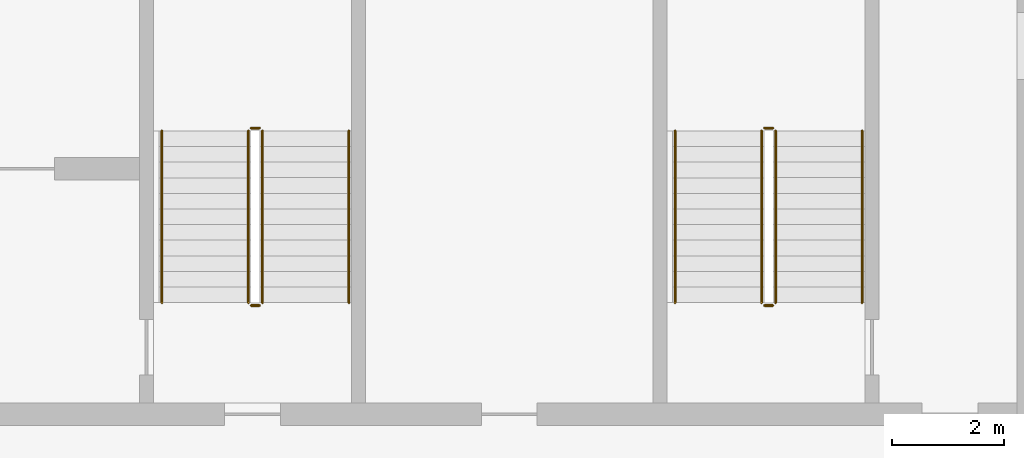
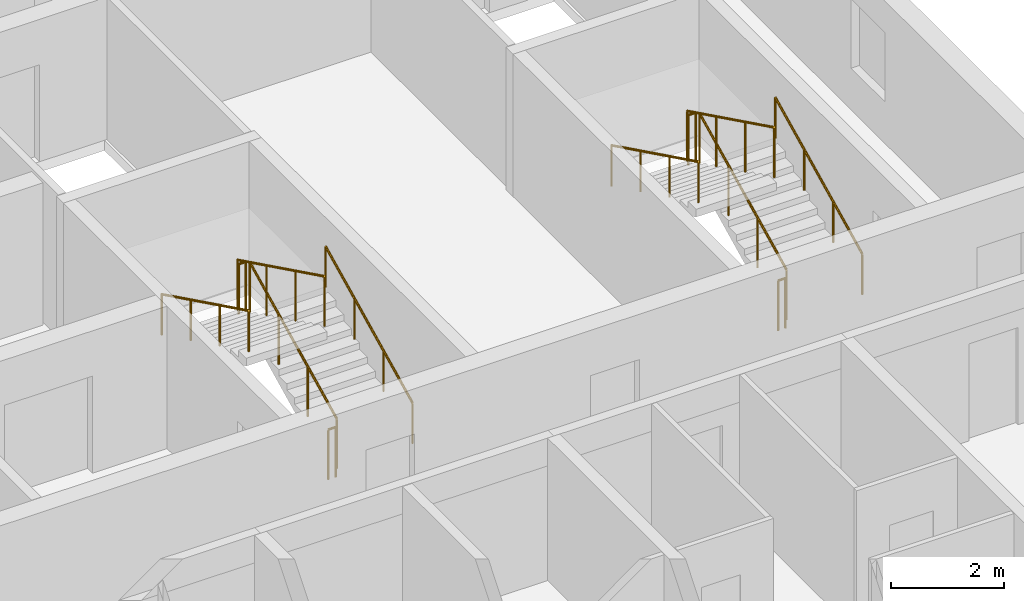
# One storey, part 15 of 27: 12 railings.
"""IFC4 building model written with IfcOpenShell, lengths in metres."""

from ifc_helpers import new_model, si_unit, direction, frame, origin, origin_2d, place, context, subcontext, project, spatial, circle, extrude, material, type_object, element, save


model = new_model("IFC4")

# Units and contexts
model_context = context("Model", 3, precision=1e-05, world=origin(), true_north=direction((0.0, 1.0)))
body_context = subcontext(model_context, "Body", "Model", "MODEL_VIEW")
ifc_project = project(units=[si_unit("LENGTHUNIT", "METRE"), si_unit("AREAUNIT", "SQUARE_METRE"), si_unit("VOLUMEUNIT", "CUBIC_METRE"), si_unit("PLANEANGLEUNIT", "RADIAN"), si_unit("MASSUNIT", "GRAM", prefix="KILO")], contexts=[model_context])

# Site, building, storey
site_placement = place(None, origin())
site = spatial("IfcSite", under=ifc_project, at=site_placement, CompositionType="ELEMENT")
building_placement = place(site_placement, origin())
building = spatial("IfcBuilding", under=site, at=building_placement, Name="Poui Terraces", CompositionType="ELEMENT")
storey_placement = place(building_placement, frame((0.0, 0.0, 198.300048828125)))
storey = spatial("IfcBuildingStorey", under=building, at=storey_placement, Name="L55", CompositionType="ELEMENT", Elevation=198.300048828125)

# Railings
ifc_material_1 = material(Name="Galvanised steel balustrade", Category="steel")
railing_type_1 = type_object("IfcRailingType", Name="STAIR GUARD 1100", PredefinedType="GUARDRAIL", material=ifc_material_1)
railing_1_placement = place(storey_placement, frame((70.27490234375, 16.60009765625, 0.137451171875)))
element("IfcRailing", 1, at=railing_1_placement, inside=storey, type_object=railing_type_1, Name="L55 ST-CE stair guard 1", PredefinedType="GUARDRAIL", context=body_context, shape_type="SweptSolid", body=[
    extrude(circle(Radius=0.02392578125, at=origin_2d()), frame((0.0, 0.0, 1.076171875), z_axis=(0.0, 0.897606190399, 0.440798283751), x_axis=(-1.0, 0.0, 0.0)), (0.0, 0.0, 1.0), 3.43115234375),
    extrude(circle(Radius=0.02099609375, at=origin_2d()), origin(), (0.0, 0.0, 1.0), 1.052001953125),
    extrude(circle(Radius=0.02099609375, at=origin_2d()), frame((0.0, 1.026611328125, 0.504150390625)), (0.0, 0.0, 1.0), 1.052001953125),
    extrude(circle(Radius=0.02099609375, at=origin_2d()), frame((0.0, 2.05322265625, 1.00830078125)), (0.0, 0.0, 1.0), 1.052001953125),
    extrude(circle(Radius=0.02099609375, at=origin_2d()), frame((0.0, 3.079833984375, 1.512451171875)), (0.0, 0.0, 1.0), 1.052001953125),
])
railing_2_placement = place(storey_placement, frame((70.22509765625, 19.72998046875, 1.64990234375)))
element("IfcRailing", 2, at=railing_2_placement, inside=storey, type_object=railing_type_1, Name="L55 ST-CE stair guard 2", PredefinedType="GUARDRAIL", context=body_context, shape_type="SweptSolid", body=[
    extrude(circle(Radius=0.02392578125, at=origin_2d()), frame((0.0, 0.0, 1.076171875), z_axis=(-1.0, 0.0, 0.0), x_axis=(0.0, -1.0, 0.0)), (0.0, 0.0, 1.0), 0.150146484375),
    extrude(circle(Radius=0.02099609375, at=origin_2d()), origin(), (0.0, 0.0, 1.0), 1.052001953125),
    extrude(circle(Radius=0.02099609375, at=origin_2d()), frame((-0.150146484375, 0.0, 0.0)), (0.0, 0.0, 1.0), 1.052001953125),
])
railing_3_placement = place(storey_placement, frame((70.02490234375, 19.679931640625, 1.787353515625)))
element("IfcRailing", 3, at=railing_3_placement, inside=storey, type_object=railing_type_1, Name="L55 ST-CE stair guard 3", PredefinedType="GUARDRAIL", context=body_context, shape_type="SweptSolid", body=[
    extrude(circle(Radius=0.02392578125, at=origin_2d()), frame((0.0, 0.0, 1.076171875), z_axis=(0.0, -0.897578036475, 0.440855609512), x_axis=(1.0, 0.0, 0.0)), (0.0, 0.0, 1.0), 3.43115234375),
    extrude(circle(Radius=0.02099609375, at=origin_2d()), origin(), (0.0, 0.0, 1.0), 1.052001953125),
    extrude(circle(Radius=0.02099609375, at=origin_2d()), frame((0.0, -1.026611328125, 0.504150390625)), (0.0, 0.0, 1.0), 1.052001953125),
    extrude(circle(Radius=0.02099609375, at=origin_2d()), frame((0.0, -2.05322265625, 1.008544921875)), (0.0, 0.0, 1.0), 1.052001953125),
    extrude(circle(Radius=0.02099609375, at=origin_2d()), frame((0.0, -3.079833984375, 1.5126953125)), (0.0, 0.0, 1.0), 1.052001953125),
])
railing_4_placement = place(storey_placement, frame((70.22509765625, 16.550048828125, 0.0)))
element("IfcRailing", 4, at=railing_4_placement, inside=storey, type_object=railing_type_1, Name="L55 ST-CE stair guard 4", PredefinedType="GUARDRAIL", context=body_context, shape_type="SweptSolid", body=[
    extrude(circle(Radius=0.02392578125, at=origin_2d()), frame((0.0, 0.0, 1.076171875), z_axis=(-1.0, 0.0, 0.0), x_axis=(0.0, -1.0, 0.0)), (0.0, 0.0, 1.0), 0.150146484375),
    extrude(circle(Radius=0.02099609375, at=origin_2d()), origin(), (0.0, 0.0, 1.0), 1.052001953125),
    extrude(circle(Radius=0.02099609375, at=origin_2d()), frame((-0.150146484375, 0.0, 0.0)), (0.0, 0.0, 1.0), 1.052001953125),
])
railing_5_placement = place(storey_placement, frame((79.47509765625, 16.60009765625, 0.137451171875)))
element("IfcRailing", 5, at=railing_5_placement, inside=storey, type_object=railing_type_1, Name="L55 ST-E stair guard 1", PredefinedType="GUARDRAIL", context=body_context, shape_type="SweptSolid", body=[
    extrude(circle(Radius=0.02392578125, at=origin_2d()), frame((0.0, 0.0, 1.076171875), z_axis=(0.0, 0.897606190399, 0.440798283751), x_axis=(-1.0, 0.0, 0.0)), (0.0, 0.0, 1.0), 3.43115234375),
    extrude(circle(Radius=0.02099609375, at=origin_2d()), origin(), (0.0, 0.0, 1.0), 1.052001953125),
    extrude(circle(Radius=0.02099609375, at=origin_2d()), frame((0.0, 1.026611328125, 0.504150390625)), (0.0, 0.0, 1.0), 1.052001953125),
    extrude(circle(Radius=0.02099609375, at=origin_2d()), frame((0.0, 2.05322265625, 1.00830078125)), (0.0, 0.0, 1.0), 1.052001953125),
    extrude(circle(Radius=0.02099609375, at=origin_2d()), frame((0.0, 3.079833984375, 1.512451171875)), (0.0, 0.0, 1.0), 1.052001953125),
])
railing_6_placement = place(storey_placement, frame((79.425048828125, 19.72998046875, 1.64990234375)))
element("IfcRailing", 6, at=railing_6_placement, inside=storey, type_object=railing_type_1, Name="L55 ST-E stair guard 2", PredefinedType="GUARDRAIL", context=body_context, shape_type="SweptSolid", body=[
    extrude(circle(Radius=0.02392578125, at=origin_2d()), frame((0.0, 0.0, 1.076171875), z_axis=(-1.0, 0.0, 0.0), x_axis=(0.0, -1.0, 0.0)), (0.0, 0.0, 1.0), 0.150146484375),
    extrude(circle(Radius=0.02099609375, at=origin_2d()), origin(), (0.0, 0.0, 1.0), 1.052001953125),
    extrude(circle(Radius=0.02099609375, at=origin_2d()), frame((-0.150146484375, 0.0, 0.0)), (0.0, 0.0, 1.0), 1.052001953125),
])
railing_7_placement = place(storey_placement, frame((79.22509765625, 19.679931640625, 1.787353515625)))
element("IfcRailing", 7, at=railing_7_placement, inside=storey, type_object=railing_type_1, Name="L55 ST-E stair guard 3", PredefinedType="GUARDRAIL", context=body_context, shape_type="SweptSolid", body=[
    extrude(circle(Radius=0.02392578125, at=origin_2d()), frame((0.0, 0.0, 1.076171875), z_axis=(0.0, -0.897578036475, 0.440855609512), x_axis=(1.0, 0.0, 0.0)), (0.0, 0.0, 1.0), 3.43115234375),
    extrude(circle(Radius=0.02099609375, at=origin_2d()), origin(), (0.0, 0.0, 1.0), 1.052001953125),
    extrude(circle(Radius=0.02099609375, at=origin_2d()), frame((0.0, -1.026611328125, 0.504150390625)), (0.0, 0.0, 1.0), 1.052001953125),
    extrude(circle(Radius=0.02099609375, at=origin_2d()), frame((0.0, -2.05322265625, 1.008544921875)), (0.0, 0.0, 1.0), 1.052001953125),
    extrude(circle(Radius=0.02099609375, at=origin_2d()), frame((0.0, -3.079833984375, 1.5126953125)), (0.0, 0.0, 1.0), 1.052001953125),
])
railing_8_placement = place(storey_placement, frame((79.425048828125, 16.550048828125, 0.0)))
element("IfcRailing", 8, at=railing_8_placement, inside=storey, type_object=railing_type_1, Name="L55 ST-E stair guard 4", PredefinedType="GUARDRAIL", context=body_context, shape_type="SweptSolid", body=[
    extrude(circle(Radius=0.02392578125, at=origin_2d()), frame((0.0, 0.0, 1.076171875), z_axis=(-1.0, 0.0, 0.0), x_axis=(0.0, -1.0, 0.0)), (0.0, 0.0, 1.0), 0.150146484375),
    extrude(circle(Radius=0.02099609375, at=origin_2d()), origin(), (0.0, 0.0, 1.0), 1.052001953125),
    extrude(circle(Radius=0.02099609375, at=origin_2d()), frame((-0.150146484375, 0.0, 0.0)), (0.0, 0.0, 1.0), 1.052001953125),
])
ifc_material_2 = material(Name="Stainless steel handrail", Category="steel")
railing_type_2 = type_object("IfcRailingType", Name="STAIR HANDRAIL 900", PredefinedType="HANDRAIL", material=ifc_material_2)
railing_9_placement = place(storey_placement, frame((71.824951171875, 16.60009765625, 0.137451171875)))
element("IfcRailing", 9, at=railing_9_placement, inside=storey, type_object=railing_type_2, Name="L55 ST-CE stair handrail 1", PredefinedType="HANDRAIL", context=body_context, shape_type="SweptSolid", body=[
    extrude(circle(Radius=0.02392578125, at=origin_2d()), frame((0.0, 0.0, 0.8759765625), z_axis=(0.0, 0.897606190399, 0.440798283751), x_axis=(-1.0, 0.0, 0.0)), (0.0, 0.0, 1.0), 3.43115234375),
    extrude(circle(Radius=0.02099609375, at=origin_2d()), origin(), (0.0, 0.0, 1.0), 0.851806640625),
    extrude(circle(Radius=0.02099609375, at=origin_2d()), frame((0.0, 1.026611328125, 0.504150390625)), (0.0, 0.0, 1.0), 0.851806640625),
    extrude(circle(Radius=0.02099609375, at=origin_2d()), frame((0.0, 2.05322265625, 1.00830078125)), (0.0, 0.0, 1.0), 0.851806640625),
    extrude(circle(Radius=0.02099609375, at=origin_2d()), frame((0.0, 3.079833984375, 1.512451171875)), (0.0, 0.0, 1.0), 0.851806640625),
])
railing_10_placement = place(storey_placement, frame((68.47509765625, 19.679931640625, 1.787353515625)))
element("IfcRailing", 10, at=railing_10_placement, inside=storey, type_object=railing_type_2, Name="L55 ST-CE stair handrail 2", PredefinedType="HANDRAIL", context=body_context, shape_type="SweptSolid", body=[
    extrude(circle(Radius=0.02392578125, at=origin_2d()), frame((0.0, 0.0, 0.8759765625), z_axis=(0.0, -0.897578036475, 0.440855609512), x_axis=(1.0, 0.0, 0.0)), (0.0, 0.0, 1.0), 3.43115234375),
    extrude(circle(Radius=0.02099609375, at=origin_2d()), origin(), (0.0, 0.0, 1.0), 0.851806640625),
    extrude(circle(Radius=0.02099609375, at=origin_2d()), frame((0.0, -1.026611328125, 0.504150390625)), (0.0, 0.0, 1.0), 0.851806640625),
    extrude(circle(Radius=0.02099609375, at=origin_2d()), frame((0.0, -2.05322265625, 1.008544921875)), (0.0, 0.0, 1.0), 0.851806640625),
    extrude(circle(Radius=0.02099609375, at=origin_2d()), frame((0.0, -3.079833984375, 1.5126953125)), (0.0, 0.0, 1.0), 0.851806640625),
])
railing_11_placement = place(storey_placement, frame((81.02490234375, 16.60009765625, 0.137451171875)))
element("IfcRailing", 11, at=railing_11_placement, inside=storey, type_object=railing_type_2, Name="L55 ST-E stair handrail 1", PredefinedType="HANDRAIL", context=body_context, shape_type="SweptSolid", body=[
    extrude(circle(Radius=0.02392578125, at=origin_2d()), frame((0.0, 0.0, 0.8759765625), z_axis=(0.0, 0.897606190399, 0.440798283751), x_axis=(-1.0, 0.0, 0.0)), (0.0, 0.0, 1.0), 3.43115234375),
    extrude(circle(Radius=0.02099609375, at=origin_2d()), origin(), (0.0, 0.0, 1.0), 0.851806640625),
    extrude(circle(Radius=0.02099609375, at=origin_2d()), frame((0.0, 1.026611328125, 0.504150390625)), (0.0, 0.0, 1.0), 0.851806640625),
    extrude(circle(Radius=0.02099609375, at=origin_2d()), frame((0.0, 2.05322265625, 1.00830078125)), (0.0, 0.0, 1.0), 0.851806640625),
    extrude(circle(Radius=0.02099609375, at=origin_2d()), frame((0.0, 3.079833984375, 1.512451171875)), (0.0, 0.0, 1.0), 0.851806640625),
])
railing_12_placement = place(storey_placement, frame((77.675048828125, 19.679931640625, 1.787353515625)))
element("IfcRailing", 12, at=railing_12_placement, inside=storey, type_object=railing_type_2, Name="L55 ST-E stair handrail 2", PredefinedType="HANDRAIL", context=body_context, shape_type="SweptSolid", body=[
    extrude(circle(Radius=0.02392578125, at=origin_2d()), frame((0.0, 0.0, 0.8759765625), z_axis=(0.0, -0.897578036475, 0.440855609512), x_axis=(1.0, 0.0, 0.0)), (0.0, 0.0, 1.0), 3.43115234375),
    extrude(circle(Radius=0.02099609375, at=origin_2d()), origin(), (0.0, 0.0, 1.0), 0.851806640625),
    extrude(circle(Radius=0.02099609375, at=origin_2d()), frame((0.0, -1.026611328125, 0.504150390625)), (0.0, 0.0, 1.0), 0.851806640625),
    extrude(circle(Radius=0.02099609375, at=origin_2d()), frame((0.0, -2.05322265625, 1.008544921875)), (0.0, 0.0, 1.0), 0.851806640625),
    extrude(circle(Radius=0.02099609375, at=origin_2d()), frame((0.0, -3.079833984375, 1.5126953125)), (0.0, 0.0, 1.0), 0.851806640625),
])

save(model, "model.ifc")
